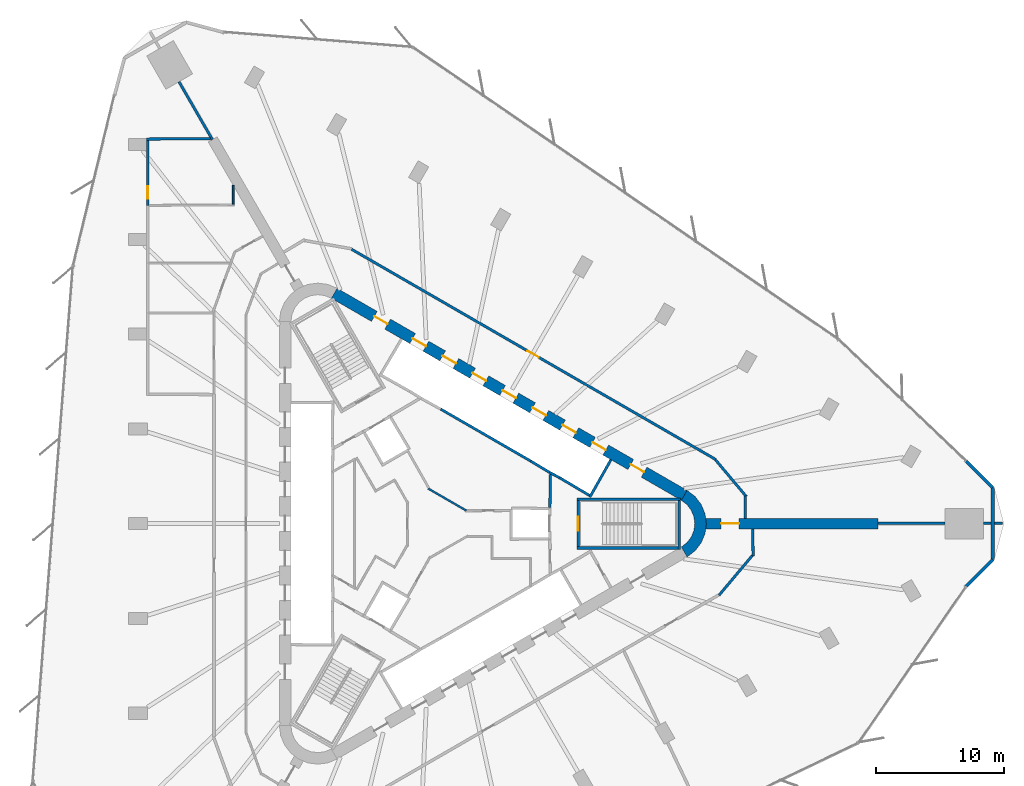
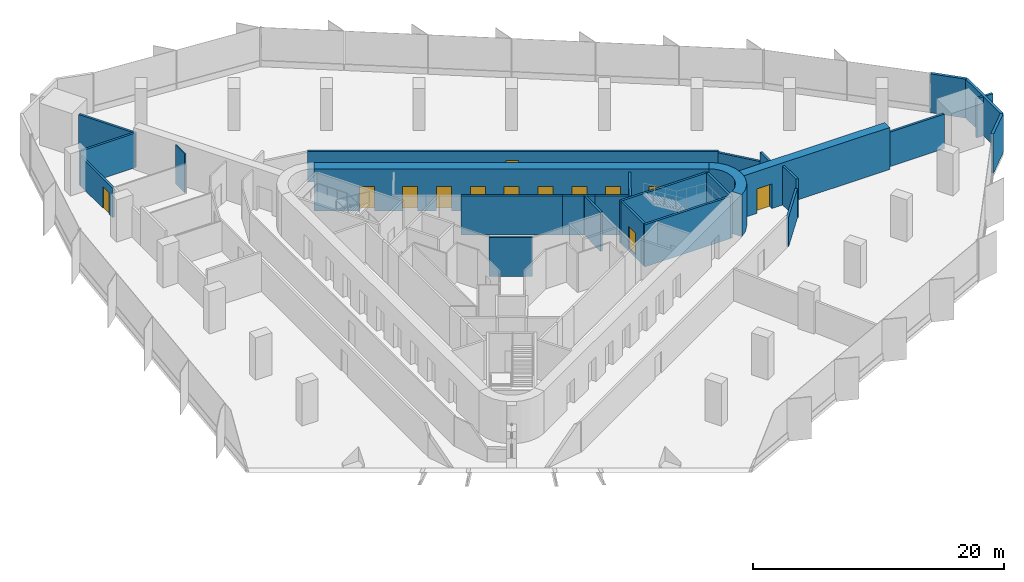
# One storey, part 12 of 14: 29 walls, 13 doors, 13 openings.
"""IFC4 building model written with IfcOpenShell, lengths in metres."""

from ifc_helpers import new_model, si_unit, direction, frame, frame_2d, origin, place, context, subcontext, project, spatial, polyline, rectangle, outline, extrude, material, layer, layer_set, type_object, element, fill, save


model = new_model("IFC4")

# Units and contexts
model_context = context("Model", 3, precision=1e-05, world=origin(), true_north=direction((0.0, 1.0)))
body_context = subcontext(model_context, "Body", "Model", "MODEL_VIEW")
ifc_project = project(units=[si_unit("LENGTHUNIT", "METRE"), si_unit("AREAUNIT", "SQUARE_METRE"), si_unit("VOLUMEUNIT", "CUBIC_METRE"), si_unit("PLANEANGLEUNIT", "RADIAN"), si_unit("MASSUNIT", "GRAM", prefix="KILO")], contexts=[model_context])

# Site, building, storey
site_placement = place(None, origin())
site = spatial("IfcSite", under=ifc_project, at=site_placement, CompositionType="ELEMENT")
building_placement = place(site_placement, origin())
building = spatial("IfcBuilding", under=site, at=building_placement, Name="Tanit Gate Tower", CompositionType="ELEMENT")
storey_placement = place(building_placement, frame((0.0, 0.0, 86.5)))
storey = spatial("IfcBuildingStorey", under=building, at=storey_placement, Name="L17", CompositionType="ELEMENT", Elevation=86.5)

# Wall, opening, door
ifc_material_1 = material(Name="Concrete C60/75", Category="concrete")
ifc_layer_1 = layer(ifc_material_1, 0.800048828125)
ifc_layer_set_1 = layer_set([ifc_layer_1], Name="BUTTRESS FIN 800 C60/75")
wall_type_1 = type_object("IfcWallType", Name="BUTTRESS FIN 800 C60/75", PredefinedType="SHEAR", material=ifc_layer_set_1)
wall_1_placement = place(storey_placement, frame((21.14990234375, 0.0, 0.0), z_axis=(0.0, 0.0, 1.0), x_axis=(1.0, 0.0, 0.0)))
wall_1 = element("IfcWall", 1, at=wall_1_placement, inside=storey, type_object=wall_type_1, Name="BUTTRESS FIN", PredefinedType="SHEAR", context=body_context, shape_type="SweptSolid", body=[
    extrude(rectangle(XDim=13.455322265625, YDim=0.800048828125, at=frame_2d((6.7275390625, 0.0))), origin(), (0.0, 0.0, 1.0), 4.10009765625),
])
opening_1_placement = place(wall_1_placement, frame((1.199951171875, 0.0, 0.0)))
opening_1 = element("IfcOpeningElement", 2, at=opening_1_placement, cuts=wall_1, Name="Opening P14-S03-F-E-1", PredefinedType="OPENING", context=body_context, shape_type="SweptSolid", body=[
    extrude(rectangle(XDim=1.39990234375, YDim=2.39990234375, at=frame_2d((0.699951171875, 1.199951171875))), frame((0.0, 0.41015625, 0.0), z_axis=(0.0, -1.0, 0.0), x_axis=(1.0, 0.0, 0.0)), (0.0, 0.0, 1.0), 0.820068359375),
])
ifc_material_2 = material(Name="Timber door leaf", Category="wood")
door_type_1 = type_object("IfcDoorType", Name="INT-DOOR-FIN-PAIR-1400", OperationType="NOTDEFINED", PredefinedType="NOTDEFINED", material=ifc_material_2)
door_1_placement = place(opening_1_placement, origin())
door_1 = element("IfcDoor", 3, at=door_1_placement, inside=storey, type_object=door_type_1, Name="Door P14-S03-F-E-1", OperationType="DOUBLE_DOOR_SINGLE_SWING", OverallHeight=2.39990234375, OverallWidth=1.39990234375, PredefinedType="NOTDEFINED", context=body_context, shape_type="SweptSolid", body=[
    extrude(rectangle(XDim=1.39990234375, YDim=2.39990234375, at=frame_2d((0.699951171875, 1.199951171875))), frame((0.0, 0.02490234375, 0.0), z_axis=(0.0, -1.0, 0.0), x_axis=(1.0, 0.0, 0.0)), (0.0, 0.0, 1.0), 0.050048828125),
])
fill(opening_1, door_1)

# Wall, openings, doors
ifc_material_3 = material(Name="Concrete C60/75", Category="concrete")
ifc_layer_2 = layer(ifc_material_3, 0.89990234375)
ifc_layer_set_2 = layer_set([ifc_layer_2], Name="CORE WALL 900 C60/75")
wall_type_2 = type_object("IfcWallType", Name="CORE WALL 900 C60/75", PredefinedType="SHEAR", material=ifc_layer_set_2)
wall_2_placement = place(storey_placement, frame((19.47509765625, 2.20849609375, 0.0), z_axis=(0.0, 0.0, 1.0), x_axis=(-0.866028369851, 0.499994862586, 0.0)))
wall_2 = element("IfcWall", 4, at=wall_2_placement, inside=storey, type_object=wall_type_2, Name="CORE WALL", PredefinedType="SHEAR", context=body_context, shape_type="SweptSolid", body=[
    extrude(rectangle(XDim=31.523193359375, YDim=0.89990234375, at=frame_2d((15.76171875, 0.0))), origin(), (0.0, 0.0, 1.0), 4.10009765625),
])
opening_2_placement = place(wall_2_placement, frame((7.0615234375, 0.0, 0.0)))
opening_2 = element("IfcOpeningElement", 5, at=opening_2_placement, cuts=wall_2, Name="Opening LDLL8-S03", PredefinedType="OPENING", context=body_context, shape_type="SweptSolid", body=[
    extrude(rectangle(XDim=1.199951171875, YDim=2.39990234375, at=frame_2d((0.60009765625, 1.199951171875))), frame((0.0, 0.4599609375, 0.0), z_axis=(0.0, -1.0, 0.0), x_axis=(1.0, 0.0, 0.0)), (0.0, 0.0, 1.0), 0.919921875),
])
opening_3_placement = place(wall_2_placement, frame((9.76171875, 0.0, 0.0)))
opening_3 = element("IfcOpeningElement", 6, at=opening_3_placement, cuts=wall_2, Name="Opening LDLL9-S03", PredefinedType="OPENING", context=body_context, shape_type="SweptSolid", body=[
    extrude(rectangle(XDim=1.199951171875, YDim=2.39990234375, at=frame_2d((0.60009765625, 1.199951171875))), frame((0.0, 0.4599609375, 0.0), z_axis=(0.0, -1.0, 0.0), x_axis=(1.0, 0.0, 0.0)), (0.0, 0.0, 1.0), 0.919921875),
])
opening_4_placement = place(wall_2_placement, frame((12.461669921875, 0.0, 0.0)))
opening_4 = element("IfcOpeningElement", 7, at=opening_4_placement, cuts=wall_2, Name="Opening LDLL10-S03", PredefinedType="OPENING", context=body_context, shape_type="SweptSolid", body=[
    extrude(rectangle(XDim=1.199951171875, YDim=2.39990234375, at=frame_2d((0.60009765625, 1.199951171875))), frame((0.0, 0.4599609375, 0.0), z_axis=(0.0, -1.0, 0.0), x_axis=(1.0, 0.0, 0.0)), (0.0, 0.0, 1.0), 0.919921875),
])
opening_5_placement = place(wall_2_placement, frame((15.16162109375, 0.0, 0.0)))
opening_5 = element("IfcOpeningElement", 8, at=opening_5_placement, cuts=wall_2, Name="Opening LDSL1-S03", PredefinedType="OPENING", context=body_context, shape_type="SweptSolid", body=[
    extrude(rectangle(XDim=1.199951171875, YDim=2.39990234375, at=frame_2d((0.60009765625, 1.199951171875))), frame((0.0, 0.4599609375, 0.0), z_axis=(0.0, -1.0, 0.0), x_axis=(1.0, 0.0, 0.0)), (0.0, 0.0, 1.0), 0.919921875),
])
opening_6_placement = place(wall_2_placement, frame((17.861572265625, 0.0, 0.0)))
opening_6 = element("IfcOpeningElement", 9, at=opening_6_placement, cuts=wall_2, Name="Opening LDSL2-S03", PredefinedType="OPENING", context=body_context, shape_type="SweptSolid", body=[
    extrude(rectangle(XDim=1.199951171875, YDim=2.39990234375, at=frame_2d((0.60009765625, 1.199951171875))), frame((0.0, 0.4599609375, 0.0), z_axis=(0.0, -1.0, 0.0), x_axis=(1.0, 0.0, 0.0)), (0.0, 0.0, 1.0), 0.919921875),
])
opening_7_placement = place(wall_2_placement, frame((20.5615234375, 0.0, 0.0)))
opening_7 = element("IfcOpeningElement", 10, at=opening_7_placement, cuts=wall_2, Name="Opening LDSL3-S03", PredefinedType="OPENING", context=body_context, shape_type="SweptSolid", body=[
    extrude(rectangle(XDim=1.199951171875, YDim=2.39990234375, at=frame_2d((0.60009765625, 1.199951171875))), frame((0.0, 0.4599609375, 0.0), z_axis=(0.0, -1.0, 0.0), x_axis=(1.0, 0.0, 0.0)), (0.0, 0.0, 1.0), 0.919921875),
])
opening_8_placement = place(wall_2_placement, frame((23.26171875, 0.0, 0.0)))
opening_8 = element("IfcOpeningElement", 11, at=opening_8_placement, cuts=wall_2, Name="Opening LDSL4-S03", PredefinedType="OPENING", context=body_context, shape_type="SweptSolid", body=[
    extrude(rectangle(XDim=1.199951171875, YDim=2.39990234375, at=frame_2d((0.60009765625, 1.199951171875))), frame((0.0, 0.4599609375, 0.0), z_axis=(0.0, -1.0, 0.0), x_axis=(1.0, 0.0, 0.0)), (0.0, 0.0, 1.0), 0.919921875),
])
opening_9_placement = place(wall_2_placement, frame((3.611572265625, 0.0, 0.0)))
opening_9 = element("IfcOpeningElement", 12, at=opening_9_placement, cuts=wall_2, Name="Opening F12-S03-FL1", PredefinedType="OPENING", context=body_context, shape_type="SweptSolid", body=[
    extrude(rectangle(XDim=1.199951171875, YDim=2.39990234375, at=frame_2d((0.60009765625, 1.199951171875))), frame((0.0, 0.4599609375, 0.0), z_axis=(0.0, -1.0, 0.0), x_axis=(1.0, 0.0, 0.0)), (0.0, 0.0, 1.0), 0.919921875),
])
opening_10_placement = place(wall_2_placement, frame((26.711669921875, 0.0, 0.0)))
opening_10 = element("IfcOpeningElement", 13, at=opening_10_placement, cuts=wall_2, Name="Opening F12-S03-S2", PredefinedType="OPENING", context=body_context, shape_type="SweptSolid", body=[
    extrude(rectangle(XDim=1.199951171875, YDim=2.39990234375, at=frame_2d((0.60009765625, 1.199951171875))), frame((0.0, 0.4599609375, 0.0), z_axis=(0.0, -1.0, 0.0), x_axis=(1.0, 0.0, 0.0)), (0.0, 0.0, 1.0), 0.919921875),
])
ifc_material_4 = material(Name="Fire-rated steel door leaf", Category="steel")
door_type_2 = type_object("IfcDoorType", Name="INT-DOOR-FIRE-LOBBY-1200", OperationType="NOTDEFINED", PredefinedType="USERDEFINED", material=ifc_material_4)
door_2_placement = place(opening_9_placement, origin())
door_2 = element("IfcDoor", 14, at=door_2_placement, inside=storey, type_object=door_type_2, Name="Door F12-S03-FL1", ObjectType="FIRE DOOR", OperationType="SINGLE_SWING_RIGHT", OverallHeight=2.39990234375, OverallWidth=1.199951171875, PredefinedType="USERDEFINED", context=body_context, shape_type="SweptSolid", body=[
    extrude(rectangle(XDim=1.199951171875, YDim=2.39990234375, at=frame_2d((0.60009765625, 1.199951171875))), frame((0.0, 0.02490234375, 0.0), z_axis=(0.0, -1.0, 0.0), x_axis=(1.0, 0.0, 0.0)), (0.0, 0.0, 1.0), 0.050048828125),
])
fill(opening_9, door_2)
door_3_placement = place(opening_10_placement, origin())
door_3 = element("IfcDoor", 15, at=door_3_placement, inside=storey, type_object=door_type_2, Name="Door F12-S03-S2", ObjectType="FIRE DOOR", OperationType="SINGLE_SWING_LEFT", OverallHeight=2.39990234375, OverallWidth=1.199951171875, PredefinedType="USERDEFINED", context=body_context, shape_type="SweptSolid", body=[
    extrude(rectangle(XDim=1.199951171875, YDim=2.39990234375, at=frame_2d((0.60009765625, 1.199951171875))), frame((0.0, 0.02490234375, 0.0), z_axis=(0.0, -1.0, 0.0), x_axis=(1.0, 0.0, 0.0)), (0.0, 0.0, 1.0), 0.050048828125),
])
fill(opening_10, door_3)
ifc_material_5 = material(Name="Stainless steel sliding door leaf", Category="steel")
door_type_3 = type_object("IfcDoorType", Name="INT-DOOR-LANDING-1200", OperationType="NOTDEFINED", PredefinedType="USERDEFINED", material=ifc_material_5)
door_4_placement = place(opening_2_placement, origin())
door_4 = element("IfcDoor", 16, at=door_4_placement, inside=storey, type_object=door_type_3, Name="Door LDLL8-S03", ObjectType="LANDING DOOR", OperationType="SLIDING_TO_LEFT", OverallHeight=2.39990234375, OverallWidth=1.199951171875, PredefinedType="USERDEFINED", context=body_context, shape_type="SweptSolid", body=[
    extrude(rectangle(XDim=1.199951171875, YDim=2.39990234375, at=frame_2d((0.60009765625, 1.199951171875))), frame((0.0, 0.02490234375, 0.0), z_axis=(0.0, -1.0, 0.0), x_axis=(1.0, 0.0, 0.0)), (0.0, 0.0, 1.0), 0.050048828125),
])
fill(opening_2, door_4)
door_5_placement = place(opening_3_placement, origin())
door_5 = element("IfcDoor", 17, at=door_5_placement, inside=storey, type_object=door_type_3, Name="Door LDLL9-S03", ObjectType="LANDING DOOR", OperationType="SLIDING_TO_LEFT", OverallHeight=2.39990234375, OverallWidth=1.199951171875, PredefinedType="USERDEFINED", context=body_context, shape_type="SweptSolid", body=[
    extrude(rectangle(XDim=1.199951171875, YDim=2.39990234375, at=frame_2d((0.60009765625, 1.199951171875))), frame((0.0, 0.02490234375, 0.0), z_axis=(0.0, -1.0, 0.0), x_axis=(1.0, 0.0, 0.0)), (0.0, 0.0, 1.0), 0.050048828125),
])
fill(opening_3, door_5)
door_6_placement = place(opening_4_placement, origin())
door_6 = element("IfcDoor", 18, at=door_6_placement, inside=storey, type_object=door_type_3, Name="Door LDLL10-S03", ObjectType="LANDING DOOR", OperationType="SLIDING_TO_LEFT", OverallHeight=2.39990234375, OverallWidth=1.199951171875, PredefinedType="USERDEFINED", context=body_context, shape_type="SweptSolid", body=[
    extrude(rectangle(XDim=1.199951171875, YDim=2.39990234375, at=frame_2d((0.60009765625, 1.199951171875))), frame((0.0, 0.02490234375, 0.0), z_axis=(0.0, -1.0, 0.0), x_axis=(1.0, 0.0, 0.0)), (0.0, 0.0, 1.0), 0.050048828125),
])
fill(opening_4, door_6)
door_7_placement = place(opening_5_placement, origin())
door_7 = element("IfcDoor", 19, at=door_7_placement, inside=storey, type_object=door_type_3, Name="Door LDSL1-S03", ObjectType="LANDING DOOR", OperationType="SLIDING_TO_LEFT", OverallHeight=2.39990234375, OverallWidth=1.199951171875, PredefinedType="USERDEFINED", context=body_context, shape_type="SweptSolid", body=[
    extrude(rectangle(XDim=1.199951171875, YDim=2.39990234375, at=frame_2d((0.60009765625, 1.199951171875))), frame((0.0, 0.02490234375, 0.0), z_axis=(0.0, -1.0, 0.0), x_axis=(1.0, 0.0, 0.0)), (0.0, 0.0, 1.0), 0.050048828125),
])
fill(opening_5, door_7)
door_8_placement = place(opening_6_placement, origin())
door_8 = element("IfcDoor", 20, at=door_8_placement, inside=storey, type_object=door_type_3, Name="Door LDSL2-S03", ObjectType="LANDING DOOR", OperationType="SLIDING_TO_LEFT", OverallHeight=2.39990234375, OverallWidth=1.199951171875, PredefinedType="USERDEFINED", context=body_context, shape_type="SweptSolid", body=[
    extrude(rectangle(XDim=1.199951171875, YDim=2.39990234375, at=frame_2d((0.60009765625, 1.199951171875))), frame((0.0, 0.02490234375, 0.0), z_axis=(0.0, -1.0, 0.0), x_axis=(1.0, 0.0, 0.0)), (0.0, 0.0, 1.0), 0.050048828125),
])
fill(opening_6, door_8)
door_9_placement = place(opening_7_placement, origin())
door_9 = element("IfcDoor", 21, at=door_9_placement, inside=storey, type_object=door_type_3, Name="Door LDSL3-S03", ObjectType="LANDING DOOR", OperationType="SLIDING_TO_LEFT", OverallHeight=2.39990234375, OverallWidth=1.199951171875, PredefinedType="USERDEFINED", context=body_context, shape_type="SweptSolid", body=[
    extrude(rectangle(XDim=1.199951171875, YDim=2.39990234375, at=frame_2d((0.60009765625, 1.199951171875))), frame((0.0, 0.02490234375, 0.0), z_axis=(0.0, -1.0, 0.0), x_axis=(1.0, 0.0, 0.0)), (0.0, 0.0, 1.0), 0.050048828125),
])
fill(opening_7, door_9)
door_10_placement = place(opening_8_placement, origin())
door_10 = element("IfcDoor", 22, at=door_10_placement, inside=storey, type_object=door_type_3, Name="Door LDSL4-S03", ObjectType="LANDING DOOR", OperationType="SLIDING_TO_LEFT", OverallHeight=2.39990234375, OverallWidth=1.199951171875, PredefinedType="USERDEFINED", context=body_context, shape_type="SweptSolid", body=[
    extrude(rectangle(XDim=1.199951171875, YDim=2.39990234375, at=frame_2d((0.60009765625, 1.199951171875))), frame((0.0, 0.02490234375, 0.0), z_axis=(0.0, -1.0, 0.0), x_axis=(1.0, 0.0, 0.0)), (0.0, 0.0, 1.0), 0.050048828125),
])
fill(opening_8, door_10)

# Walls
wall_3_placement = place(storey_placement, origin())
element("IfcWall", 23, at=wall_3_placement, inside=storey, type_object=wall_type_2, Name="CORE WALL CORNER", PredefinedType="SHEAR", context=body_context, shape_type="SweptSolid", body=[
    extrude(outline(polyline([(19.699951171875, -2.59814453125), (20.3212890625, -2.121337890625), (20.798095703125, -1.5), (21.097900390625, -0.776611328125), (21.199951171875, 0.0), (21.097900390625, 0.776611328125), (20.798095703125, 1.5), (20.3212890625, 2.121337890625), (19.699951171875, 2.59814453125), (19.25, 1.818603515625), (19.684814453125, 1.48486328125), (20.018798828125, 1.050048828125), (20.228515625, 0.54345703125), (20.300048828125, 0.0), (20.228515625, -0.54345703125), (20.018798828125, -1.050048828125), (19.684814453125, -1.48486328125), (19.25, -1.818603515625), (19.699951171875, -2.59814453125)])), origin(), (0.0, 0.0, 1.0), 4.10009765625),
])
ifc_material_6 = material(Name="Concrete C30/37 with bronze anodised aluminium cladding", Category="concrete")
ifc_layer_3 = layer(ifc_material_6, 0.239990234375)
ifc_layer_set_3 = layer_set([ifc_layer_3], Name="Facade wall bronze clad 240")
wall_type_3 = type_object("IfcWallType", Name="Facade wall bronze clad 240", PredefinedType="SOLIDWALL", material=ifc_layer_set_3)
wall_4_placement = place(storey_placement, frame((41.4580078125, -4.889892578125, 0.0), z_axis=(0.0, 0.0, 1.0), x_axis=(0.707106781187, 0.707106781187, 0.0)))
element("IfcWall", 24, at=wall_4_placement, inside=storey, type_object=wall_type_3, Name="Bronze-clad facade wall L17 E.arc1", PredefinedType="SOLIDWALL", context=body_context, shape_type="SweptSolid", body=[
    extrude(rectangle(XDim=2.947998046875, YDim=0.239990234375, at=frame_2d((1.47412109375, 0.0))), origin(), (0.0, 0.0, 1.0), 3.800048828125),
])
wall_5_placement = place(storey_placement, frame((43.54248046875, -2.805419921875, 0.0), z_axis=(0.0, 0.0, 1.0), x_axis=(0.0, 1.0, 0.0)))
element("IfcWall", 25, at=wall_5_placement, inside=storey, type_object=wall_type_3, Name="Bronze-clad facade wall L17 E.arc2", PredefinedType="SOLIDWALL", context=body_context, shape_type="SweptSolid", body=[
    extrude(rectangle(XDim=5.61083984375, YDim=0.239990234375, at=frame_2d((2.805419921875, 0.0))), origin(), (0.0, 0.0, 1.0), 3.800048828125),
])
wall_6_placement = place(storey_placement, frame((43.54248046875, 2.805419921875, 0.0), z_axis=(0.0, 0.0, 1.0), x_axis=(-0.707106781187, 0.707106781187, 0.0)))
element("IfcWall", 26, at=wall_6_placement, inside=storey, type_object=wall_type_3, Name="Bronze-clad facade wall L17 E.arc3", PredefinedType="SOLIDWALL", context=body_context, shape_type="SweptSolid", body=[
    extrude(rectangle(XDim=2.935546875, YDim=0.239990234375, at=frame_2d((1.4677734375, 0.0))), origin(), (0.0, 0.0, 1.0), 3.800048828125),
])
ifc_material_7 = material(Name="Fire-rated gypsum board partition")
ifc_layer_4 = layer(ifc_material_7, 0.199951171875)
ifc_layer_set_4 = layer_set([ifc_layer_4], Name="INT-WALL-COMPARTMENT")
wall_type_4 = type_object("IfcWallType", Name="INT-WALL-COMPARTMENT", PredefinedType="PARTITIONING", material=ifc_layer_set_4)
wall_7_placement = place(storey_placement, frame((9.0009765625, 1.27001953125, 0.0), z_axis=(0.0, 0.0, 1.0), x_axis=(0.010784614026, 0.999941844359, 0.0)))
element("IfcWall", 27, at=wall_7_placement, inside=storey, type_object=wall_type_4, Name="Wall Compartment W059", PredefinedType="PARTITIONING", context=body_context, shape_type="SweptSolid", body=[
    extrude(rectangle(XDim=2.580810546875, YDim=0.199951171875, at=frame_2d((1.29052734375, 0.0))), origin(), (0.0, 0.0, 1.0), 3.800048828125),
])

# Wall, opening, door
wall_8_placement = place(storey_placement, frame((21.944091796875, 4.99755859375, 0.0), z_axis=(0.0, 0.0, 1.0), x_axis=(-0.866025615729, 0.499999632902, 0.0)))
wall_8 = element("IfcWall", 28, at=wall_8_placement, inside=storey, type_object=wall_type_4, Name="Wall Compartment W098", PredefinedType="PARTITIONING", context=body_context, shape_type="SweptSolid", body=[
    extrude(rectangle(XDim=32.810546875, YDim=0.199951171875, at=frame_2d((16.4052734375, 0.0))), origin(), (0.0, 0.0, 1.0), 2.97998046875),
])
opening_11_placement = place(wall_8_placement, frame((15.955322265625, 0.0, 0.0)))
opening_11 = element("IfcOpeningElement", 29, at=opening_11_placement, cuts=wall_8, Name="Opening F10-S03-21", PredefinedType="OPENING", context=body_context, shape_type="SweptSolid", body=[
    extrude(rectangle(XDim=1.0, YDim=2.10009765625, at=frame_2d((0.5, 1.050048828125))), frame((0.0, 0.10986328125, 0.0), z_axis=(0.0, -1.0, 0.0), x_axis=(1.0, 0.0, 0.0)), (0.0, 0.0, 1.0), 0.219970703125),
])
ifc_material_8 = material(Name="Fire-rated steel door leaf", Category="steel")
door_type_4 = type_object("IfcDoorType", Name="INT-DOOR-FIRE-1000", OperationType="NOTDEFINED", PredefinedType="USERDEFINED", material=ifc_material_8)
door_11_placement = place(opening_11_placement, origin())
door_11 = element("IfcDoor", 30, at=door_11_placement, inside=storey, type_object=door_type_4, Name="Door F10-S03-21", ObjectType="FIRE DOOR", OperationType="SINGLE_SWING_RIGHT", OverallHeight=2.10009765625, OverallWidth=1.0, PredefinedType="USERDEFINED", context=body_context, shape_type="SweptSolid", body=[
    extrude(rectangle(XDim=1.0, YDim=2.10009765625, at=frame_2d((0.5, 1.050048828125))), frame((0.0, 0.02490234375, 0.0), z_axis=(0.0, -1.0, 0.0), x_axis=(1.0, 0.0, 0.0)), (0.0, 0.0, 1.0), 0.050048828125),
])
fill(opening_11, door_11)

# Walls
wall_9_placement = place(storey_placement, frame((24.32080078125, 2.11181640625, 0.0), z_axis=(0.0, 0.0, 1.0), x_axis=(-0.642799287091, 0.766034644461, 0.0)))
element("IfcWall", 31, at=wall_9_placement, inside=storey, type_object=wall_type_4, Name="Wall Compartment W099", PredefinedType="PARTITIONING", context=body_context, shape_type="SweptSolid", body=[
    extrude(rectangle(XDim=3.732421875, YDim=0.199951171875, at=frame_2d((1.8662109375, 0.0))), origin(), (0.0, 0.0, 1.0), 2.8798828125),
])
wall_10_placement = place(storey_placement, frame((24.2216796875, 0.39990234375, 0.0), z_axis=(0.0, 0.0, 1.0), x_axis=(0.013657262725, 0.999906735238, 0.0)))
element("IfcWall", 32, at=wall_10_placement, inside=storey, type_object=wall_type_4, Name="Wall Compartment W100", PredefinedType="PARTITIONING", context=body_context, shape_type="SweptSolid", body=[
    extrude(rectangle(XDim=1.751953125, YDim=0.199951171875, at=frame_2d((0.8759765625, 0.0))), origin(), (0.0, 0.0, 1.0), 3.800048828125),
])
wall_11_placement = place(storey_placement, frame((24.84765625, -2.53515625, 0.0), z_axis=(0.0, 0.0, 1.0), x_axis=(-0.012347560796, 0.999923765965, 0.0)))
element("IfcWall", 33, at=wall_11_placement, inside=storey, type_object=wall_type_4, Name="Wall Compartment W101", PredefinedType="PARTITIONING", context=body_context, shape_type="SweptSolid", body=[
    extrude(rectangle(XDim=2.135498046875, YDim=0.199951171875, at=frame_2d((1.06787109375, 0.0))), origin(), (0.0, 0.0, 1.0), 3.800048828125),
])
wall_12_placement = place(storey_placement, frame((22.184814453125, -5.5908203125, 0.0), z_axis=(0.0, 0.0, 1.0), x_axis=(0.642774966428, 0.766055051894, 0.0)))
element("IfcWall", 34, at=wall_12_placement, inside=storey, type_object=wall_type_4, Name="Wall Compartment W102", PredefinedType="PARTITIONING", context=body_context, shape_type="SweptSolid", body=[
    extrude(rectangle(XDim=4.091552734375, YDim=0.199951171875, at=frame_2d((2.0458984375, 0.0))), origin(), (0.0, 0.0, 1.0), 2.8798828125),
])
wall_13_placement = place(storey_placement, frame((-19.93505859375, 34.46875, 0.0), z_axis=(0.0, 0.0, 1.0), x_axis=(0.49998731371, -0.866032728093, 0.0)))
element("IfcWall", 35, at=wall_13_placement, inside=storey, type_object=wall_type_4, Name="Wall Compartment W108", PredefinedType="PARTITIONING", context=body_context, shape_type="SweptSolid", body=[
    extrude(rectangle(XDim=5.213134765625, YDim=0.199951171875, at=frame_2d((2.6064453125, 0.0))), origin(), (0.0, 0.0, 1.0), 3.3701171875),
])

# Wall, opening, door
wall_14_placement = place(storey_placement, frame((-22.3701171875, 24.8291015625, 0.0), z_axis=(0.0, 0.0, 1.0), x_axis=(0.0, 1.0, 0.0)))
wall_14 = element("IfcWall", 36, at=wall_14_placement, inside=storey, type_object=wall_type_4, Name="Wall Compartment W116", PredefinedType="PARTITIONING", context=body_context, shape_type="SweptSolid", body=[
    extrude(rectangle(XDim=5.07080078125, YDim=0.199951171875, at=frame_2d((2.535400390625, 0.0))), origin(), (0.0, 0.0, 1.0), 2.8798828125),
])
opening_12_placement = place(wall_14_placement, frame((0.5, 0.0, 0.0)))
opening_12 = element("IfcOpeningElement", 37, at=opening_12_placement, cuts=wall_14, Name="Opening F10-S03-19", PredefinedType="OPENING", context=body_context, shape_type="SweptSolid", body=[
    extrude(rectangle(XDim=1.0, YDim=2.10009765625, at=frame_2d((0.5, 1.050048828125))), frame((0.0, 0.10986328125, 0.0), z_axis=(0.0, -1.0, 0.0), x_axis=(1.0, 0.0, 0.0)), (0.0, 0.0, 1.0), 0.219970703125),
])
door_12_placement = place(opening_12_placement, origin())
door_12 = element("IfcDoor", 38, at=door_12_placement, inside=storey, type_object=door_type_4, Name="Door F10-S03-19", ObjectType="FIRE DOOR", OperationType="SINGLE_SWING_LEFT", OverallHeight=2.10009765625, OverallWidth=1.0, PredefinedType="USERDEFINED", context=body_context, shape_type="SweptSolid", body=[
    extrude(rectangle(XDim=1.0, YDim=2.10009765625, at=frame_2d((0.5, 1.050048828125))), frame((0.0, 0.02490234375, 0.0), z_axis=(0.0, -1.0, 0.0), x_axis=(1.0, 0.0, 0.0)), (0.0, 0.0, 1.0), 0.050048828125),
])
fill(opening_12, door_12)

# Walls
wall_15_placement = place(storey_placement, frame((-17.4873046875, 30.029052734375, 0.0), z_axis=(0.0, 0.0, 1.0), x_axis=(-0.999982425384, -0.005928652725, 0.0)))
element("IfcWall", 39, at=wall_15_placement, inside=storey, type_object=wall_type_4, Name="Wall Compartment W115", PredefinedType="PARTITIONING", context=body_context, shape_type="SweptSolid", body=[
    extrude(rectangle(XDim=4.982666015625, YDim=0.199951171875, at=frame_2d((2.4912109375, 0.0))), origin(), (0.0, 0.0, 1.0), 3.3701171875),
])
wall_16_placement = place(storey_placement, frame((34.605224609375, 0.01953125, 0.0), z_axis=(0.0, 0.0, 1.0), x_axis=(0.999997972374, 0.002013764474, 0.0)))
element("IfcWall", 40, at=wall_16_placement, inside=storey, type_object=wall_type_4, Name="Wall Compartment W117", PredefinedType="PARTITIONING", context=body_context, shape_type="SweptSolid", body=[
    extrude(rectangle(XDim=5.213134765625, YDim=0.199951171875, at=frame_2d((2.6064453125, 0.0))), origin(), (0.0, 0.0, 1.0), 3.3701171875),
])
wall_17_placement = place(storey_placement, frame((42.818359375, 0.030029296875, 0.0), z_axis=(0.0, 0.0, 1.0), x_axis=(1.0, 0.0, 0.0)))
element("IfcWall", 41, at=wall_17_placement, inside=storey, type_object=wall_type_4, Name="Wall Compartment W118", PredefinedType="PARTITIONING", context=body_context, shape_type="SweptSolid", body=[
    extrude(rectangle(XDim=0.60400390625, YDim=0.199951171875, at=frame_2d((0.302001953125, 0.0))), origin(), (0.0, 0.0, 1.0), 3.800048828125),
])
wall_18_placement = place(storey_placement, frame((43.662353515625, 0.030029296875, 0.0), z_axis=(0.0, 0.0, 1.0), x_axis=(1.0, 0.0, 0.0)))
element("IfcWall", 42, at=wall_18_placement, inside=storey, type_object=wall_type_4, Name="Wall Compartment W118x1", PredefinedType="PARTITIONING", context=body_context, shape_type="SweptSolid", body=[
    extrude(rectangle(XDim=0.623779296875, YDim=0.199951171875, at=frame_2d((0.31201171875, 0.0))), origin(), (0.0, 0.0, 1.0), 3.800048828125),
])
ifc_material_9 = material(Name="Gypsum board partition")
ifc_layer_5 = layer(ifc_material_9, 0.1201171875)
ifc_layer_set_5 = layer_set([ifc_layer_5], Name="INT-WALL-PARTITION")
wall_type_5 = type_object("IfcWallType", Name="INT-WALL-PARTITION", PredefinedType="PARTITIONING", material=ifc_layer_set_5)
wall_19_placement = place(storey_placement, frame((-15.699951171875, 24.9189453125, 0.0), z_axis=(0.0, 0.0, 1.0), x_axis=(0.0, 1.0, 0.0)))
element("IfcWall", 43, at=wall_19_placement, inside=storey, type_object=wall_type_5, Name="Wall Partition W123", PredefinedType="PARTITIONING", context=body_context, shape_type="SweptSolid", body=[
    extrude(rectangle(XDim=1.474365234375, YDim=0.1201171875, at=frame_2d((0.7373046875, 0.0))), origin(), (0.0, 0.0, 1.0), 3.800048828125),
])
ifc_material_10 = material(Name="Fire-rated gypsum board partition")
ifc_layer_6 = layer(ifc_material_10, 0.14990234375)
ifc_layer_set_6 = layer_set([ifc_layer_6], Name="INT-WALL-RISER")
wall_type_6 = type_object("IfcWallType", Name="INT-WALL-RISER", PredefinedType="PLUMBINGWALL", material=ifc_layer_set_6)
wall_20_placement = place(storey_placement, frame((-0.5, 2.73876953125, 0.0), z_axis=(0.0, 0.0, 1.0), x_axis=(0.866029020252, -0.499993736042, 0.0)))
element("IfcWall", 44, at=wall_20_placement, inside=storey, type_object=wall_type_6, Name="Wall Riser W066", PredefinedType="PLUMBINGWALL", context=body_context, shape_type="SweptSolid", body=[
    extrude(rectangle(XDim=3.45361328125, YDim=0.14990234375, at=frame_2d((1.726806640625, 0.0))), origin(), (0.0, 0.0, 1.0), 3.800048828125),
])
ifc_material_11 = material(Name="Gypsum shaft wall system")
ifc_layer_7 = layer(ifc_material_11, 0.199951171875)
ifc_layer_set_7 = layer_set([ifc_layer_7], Name="INT-WALL-SHAFT")
wall_type_7 = type_object("IfcWallType", Name="INT-WALL-SHAFT", PredefinedType="PLUMBINGWALL", material=ifc_layer_set_7)
wall_21_placement = place(storey_placement, frame((7.497314453125, 4.885986328125, 0.0), z_axis=(0.0, 0.0, 1.0), x_axis=(-0.866030989016, 0.499990325971, 0.0)))
element("IfcWall", 45, at=wall_21_placement, inside=storey, type_object=wall_type_7, Name="Wall Shaft W003", PredefinedType="PLUMBINGWALL", context=body_context, shape_type="SweptSolid", body=[
    extrude(rectangle(XDim=8.099853515625, YDim=0.199951171875, at=frame_2d((4.0498046875, 0.0))), origin(), (0.0, 0.0, 1.0), 3.800048828125),
])
wall_22_placement = place(storey_placement, frame((12.10986328125, 2.07275390625, 0.0), z_axis=(0.0, 0.0, 1.0), x_axis=(0.49196600604, 0.870614408852, 0.0)))
element("IfcWall", 46, at=wall_22_placement, inside=storey, type_object=wall_type_7, Name="Wall Shaft W013", PredefinedType="PLUMBINGWALL", context=body_context, shape_type="SweptSolid", body=[
    extrude(rectangle(XDim=3.35009765625, YDim=0.199951171875, at=frame_2d((1.675048828125, 0.0))), origin(), (0.0, 0.0, 1.0), 3.800048828125),
])
wall_23_placement = place(storey_placement, frame((12.072998046875, 2.2109375, 0.0), z_axis=(0.0, 0.0, 1.0), x_axis=(-0.860438357912, 0.509554542943, 0.0)))
element("IfcWall", 47, at=wall_23_placement, inside=storey, type_object=wall_type_7, Name="Wall Shaft W014", PredefinedType="PLUMBINGWALL", context=body_context, shape_type="SweptSolid", body=[
    extrude(rectangle(XDim=2.700439453125, YDim=0.199951171875, at=frame_2d((1.35009765625, 0.0))), origin(), (0.0, 0.0, 1.0), 3.800048828125),
])
wall_24_placement = place(storey_placement, frame((9.74755859375, 3.583251953125, 0.0), z_axis=(0.0, 0.0, 1.0), x_axis=(-0.880917147855, 0.473270513147, 0.0)))
element("IfcWall", 48, at=wall_24_placement, inside=storey, type_object=wall_type_7, Name="Wall Shaft W015", PredefinedType="PLUMBINGWALL", context=body_context, shape_type="SweptSolid", body=[
    extrude(rectangle(XDim=0.8779296875, YDim=0.199951171875, at=frame_2d((0.43896484375, 0.0))), origin(), (0.0, 0.0, 1.0), 3.800048828125),
])
wall_25_placement = place(storey_placement, frame((9.0791015625, 3.93701171875, 0.0), z_axis=(0.0, 0.0, 1.0), x_axis=(-0.857516281273, 0.51445682749, 0.0)))
element("IfcWall", 49, at=wall_25_placement, inside=storey, type_object=wall_type_7, Name="Wall Shaft W016", PredefinedType="PLUMBINGWALL", context=body_context, shape_type="SweptSolid", body=[
    extrude(rectangle(XDim=1.8447265625, YDim=0.199951171875, at=frame_2d((0.92236328125, 0.0))), origin(), (0.0, 0.0, 1.0), 3.800048828125),
])
ifc_material_12 = material(Name="Concrete C40/50", Category="concrete")
ifc_layer_8 = layer(ifc_material_12, 0.199951171875)
ifc_layer_set_8 = layer_set([ifc_layer_8], Name="INT-WALL-STAIR")
wall_type_8 = type_object("IfcWallType", Name="INT-WALL-STAIR", PredefinedType="SHEAR", material=ifc_layer_set_8)
wall_26_placement = place(storey_placement, frame((19.199951171875, 1.89990234375, -0.300048828125), z_axis=(0.0, 0.0, 1.0), x_axis=(-1.0, 0.0, 0.0)))
element("IfcWall", 50, at=wall_26_placement, inside=storey, type_object=wall_type_8, Name="Wall Stair W033", PredefinedType="SHEAR", context=body_context, shape_type="SweptSolid", body=[
    extrude(rectangle(XDim=8.099853515625, YDim=0.199951171875, at=frame_2d((4.0498046875, 0.0))), origin(), (0.0, 0.0, 1.0), 4.10009765625),
])
wall_27_placement = place(storey_placement, frame((19.10009765625, -2.0, -0.300048828125), z_axis=(0.0, 0.0, 1.0), x_axis=(0.0, 1.0, 0.0)))
element("IfcWall", 51, at=wall_27_placement, inside=storey, type_object=wall_type_8, Name="Wall Stair W034", PredefinedType="SHEAR", context=body_context, shape_type="SweptSolid", body=[
    extrude(rectangle(XDim=3.800048828125, YDim=0.199951171875, at=frame_2d((1.89990234375, 0.0))), origin(), (0.0, 0.0, 1.0), 4.10009765625),
])
wall_28_placement = place(storey_placement, frame((11.10009765625, -1.89990234375, -0.300048828125), z_axis=(0.0, 0.0, 1.0), x_axis=(1.0, 0.0, 0.0)))
element("IfcWall", 52, at=wall_28_placement, inside=storey, type_object=wall_type_8, Name="Wall Stair W035", PredefinedType="SHEAR", context=body_context, shape_type="SweptSolid", body=[
    extrude(rectangle(XDim=7.89990234375, YDim=0.199951171875, at=frame_2d((3.949951171875, 0.0))), origin(), (0.0, 0.0, 1.0), 4.10009765625),
])

# Wall, opening, door
wall_29_placement = place(storey_placement, frame((11.199951171875, -1.800048828125, -0.300048828125), z_axis=(0.0, 0.0, 1.0), x_axis=(0.0, 1.0, 0.0)))
wall_29 = element("IfcWall", 53, at=wall_29_placement, inside=storey, type_object=wall_type_8, Name="Wall Stair W036", PredefinedType="SHEAR", context=body_context, shape_type="SweptSolid", body=[
    extrude(rectangle(XDim=3.60009765625, YDim=0.199951171875, at=frame_2d((1.800048828125, 0.0))), origin(), (0.0, 0.0, 1.0), 4.10009765625),
])
opening_13_placement = place(wall_29_placement, frame((1.25, 0.0, 0.300048828125)))
opening_13 = element("IfcOpeningElement", 54, at=opening_13_placement, cuts=wall_29, Name="Opening S11-S03-01", PredefinedType="OPENING", context=body_context, shape_type="SweptSolid", body=[
    extrude(rectangle(XDim=1.10009765625, YDim=2.10009765625, at=frame_2d((0.550048828125, 1.050048828125))), frame((0.0, 0.10986328125, 0.0), z_axis=(0.0, -1.0, 0.0), x_axis=(1.0, 0.0, 0.0)), (0.0, 0.0, 1.0), 0.219970703125),
])
ifc_material_13 = material(Name="Timber door leaf", Category="wood")
door_type_5 = type_object("IfcDoorType", Name="INT-DOOR-STAIR-1100", OperationType="NOTDEFINED", PredefinedType="USERDEFINED", material=ifc_material_13)
door_13_placement = place(opening_13_placement, origin())
door_13 = element("IfcDoor", 55, at=door_13_placement, inside=storey, type_object=door_type_5, Name="Door S11-S03-01", ObjectType="FIRE DOOR", OperationType="SINGLE_SWING_LEFT", OverallHeight=2.10009765625, OverallWidth=1.10009765625, PredefinedType="USERDEFINED", context=body_context, shape_type="SweptSolid", body=[
    extrude(rectangle(XDim=1.10009765625, YDim=2.10009765625, at=frame_2d((0.550048828125, 1.050048828125))), frame((0.0, 0.02490234375, 0.0), z_axis=(0.0, -1.0, 0.0), x_axis=(1.0, 0.0, 0.0)), (0.0, 0.0, 1.0), 0.050048828125),
])
fill(opening_13, door_13)

save(model, "model.ifc")
